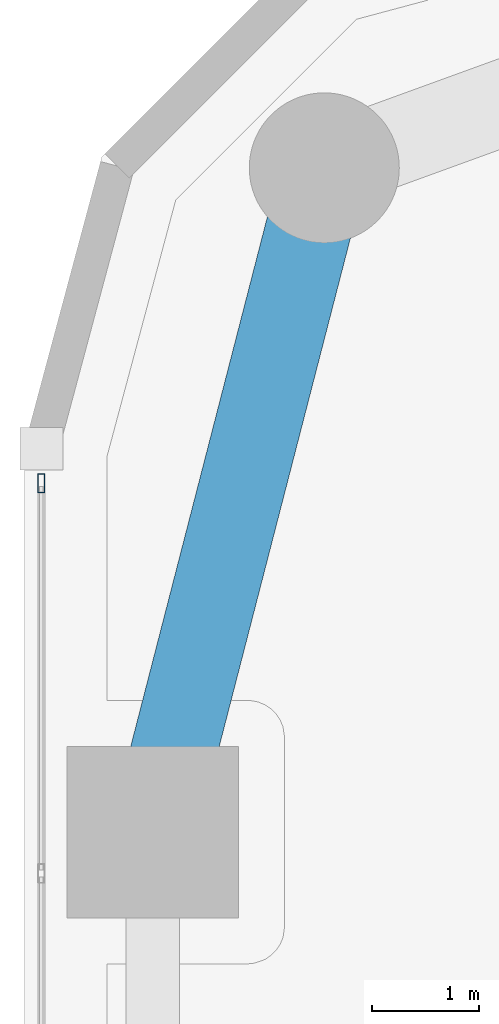
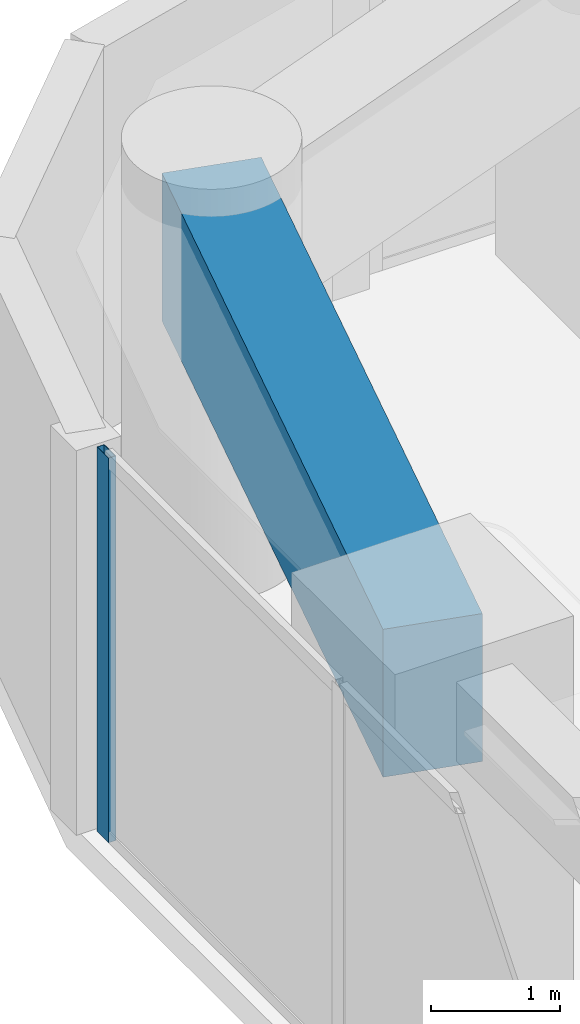
# One storey, part 11 of 24: 1 beam, 1 member, 1 element without a shape of its own.
"""IFC4 building model written with IfcOpenShell, lengths in metres."""

import ifcopenshell
import ifcopenshell.guid

model = None  # the IFC model being written
_history = None  # IfcOwnerHistory: only IFC2X3 demands one
_inside = {}  # id of a spatial element -> (the spatial element, [elements in it])
_under = {}  # id of a project, library or spatial element -> (it, [spatial elements below it])
_declared = {}  # id of a project -> (the project, [libraries it declares])
_typed = {}  # id of a type object -> (the type object, [elements of that type])
_made_of = {}  # id of a material, layer set ... -> (it, [elements and type objects made of it])


def new_model(schema):
    """Start an empty IFC model of exactly this schema.

    Asked for "IFC4X3", IfcOpenShell would pick the latest addendum, in which some entities
    have other attributes; the version numbers below select the first issue.
    IFC2X3 requires an IfcOwnerHistory on every rooted entity: one is made here for all.
    """
    global model, _history
    if schema == "IFC4X3":
        model = ifcopenshell.file(schema_version=(4, 3, 0, 0))
    else:
        model = ifcopenshell.file(schema=schema)
    _inside.clear()
    _under.clear()
    _declared.clear()
    _typed.clear()
    _made_of.clear()
    _history = None
    if model.schema == "IFC2X3":
        org = make("IfcOrganization", Name="unknown")
        user = make(
            "IfcPersonAndOrganization",
            ThePerson=make("IfcPerson", FamilyName="unknown"),
            TheOrganization=org,
        )
        app = make(
            "IfcApplication",
            ApplicationDeveloper=org,
            Version="unknown",
            ApplicationFullName="unknown",
            ApplicationIdentifier="unknown",
        )
        _history = make(
            "IfcOwnerHistory",
            OwningUser=user,
            OwningApplication=app,
            ChangeAction="ADDED",
            CreationDate=0,
        )
    return model


def make(cls, **values):
    """One entity of the class cls with the attributes given. An attribute that is None is left unset."""
    return model.create_entity(
        cls, **{name: value for name, value in values.items() if value is not None}
    )


def rooted(cls, **values):
    """An entity with a GlobalId (a new one), such as an element, a storey or a relation."""
    return make(cls, GlobalId=ifcopenshell.guid.new(), OwnerHistory=_history, **values)


def si_unit(unit_type, name, prefix=None):
    """IfcSIUnit, for example si_unit("LENGTHUNIT", "METRE", prefix="MILLI")."""
    return make("IfcSIUnit", UnitType=unit_type, Prefix=prefix, Name=name)


def assignment(units):
    """IfcUnitAssignment: the units of a project."""
    return None if units is None else make("IfcUnitAssignment", Units=units)


def point(xyz):
    """IfcCartesianPoint."""
    return None if xyz is None else make("IfcCartesianPoint", Coordinates=xyz)


def direction(xyz):
    """IfcDirection."""
    return None if xyz is None else make("IfcDirection", DirectionRatios=xyz)


def frame(location, z_axis=None, x_axis=None):
    """IfcAxis2Placement3D, a coordinate frame: its origin and axes. An axis left out is left unset."""
    return make(
        "IfcAxis2Placement3D",
        Location=point(location),
        Axis=direction(z_axis),
        RefDirection=direction(x_axis),
    )


def frame_2d(location, x_axis=None):
    """IfcAxis2Placement2D, a coordinate frame in the plane: its origin and x axis."""
    return make(
        "IfcAxis2Placement2D", Location=point(location), RefDirection=direction(x_axis)
    )


def origin():
    """The frame at (0, 0, 0) with its axes left unset."""
    return frame((0.0, 0.0, 0.0))


def origin_2d():
    """The frame at (0, 0) in the plane with its x axis left unset."""
    return frame_2d((0.0, 0.0))


def place(relative_to, where):
    """IfcLocalPlacement: puts the frame where relative to a parent placement (None: the world)."""
    return make(
        "IfcLocalPlacement", PlacementRelTo=relative_to, RelativePlacement=where
    )


def context(
    kind, dimensions, precision=None, world=None, true_north=None, identifier=None
):
    """IfcGeometricRepresentationContext, for example the 3D "Model" context."""
    return make(
        "IfcGeometricRepresentationContext",
        ContextIdentifier=identifier,
        ContextType=kind,
        CoordinateSpaceDimension=dimensions,
        Precision=precision,
        WorldCoordinateSystem=world,
        TrueNorth=true_north,
    )


def subcontext(parent, identifier, kind, view, scale=None):
    """IfcGeometricRepresentationSubContext, for example "Body" below "Model"."""
    return make(
        "IfcGeometricRepresentationSubContext",
        ContextIdentifier=identifier,
        ContextType=kind,
        ParentContext=parent,
        TargetScale=scale,
        TargetView=view,
    )


def project(units=None, contexts=None):
    """IfcProject with its units and contexts."""
    return rooted(
        "IfcProject",
        Name="project",
        RepresentationContexts=contexts,
        UnitsInContext=assignment(units),
    )


def spatial(cls, under=None, at=None, **own):
    """A site, building, storey or space (cls), placed at a placement, below another one or the project."""
    s = rooted(cls, ObjectPlacement=at, **own)
    if under is not None:
        _under.setdefault(under.id(), (under, []))[1].append(s)
    return s


def profile(cls, at=None, kind="AREA", **sizes):
    """A parametric profile (cls). Its sizes go by their IFC names, for example OverallWidth=200.0."""
    return make(cls, ProfileType=kind, Position=at, **sizes)


def rectangle(**sizes):
    """IfcRectangleProfileDef."""
    return profile("IfcRectangleProfileDef", **sizes)


def hollow_rectangle(**sizes):
    """IfcRectangleHollowProfileDef."""
    return profile("IfcRectangleHollowProfileDef", **sizes)


def extrude(swept, where, along, depth):
    """IfcExtrudedAreaSolid: the profile swept, set in the frame where, extruded along a direction by depth."""
    return make(
        "IfcExtrudedAreaSolid",
        SweptArea=swept,
        Position=where,
        ExtrudedDirection=direction(along),
        Depth=depth,
    )


def shape(context_of_items, identifier, shape_type, items):
    """IfcShapeRepresentation: the items that make up one representation, for example the "Body"."""
    return make(
        "IfcShapeRepresentation",
        ContextOfItems=context_of_items,
        RepresentationIdentifier=identifier,
        RepresentationType=shape_type,
        Items=items,
    )


def material(Name=None, Category=None):
    """IfcMaterial."""
    return make("IfcMaterial", Name=Name, Category=Category)


def layer(
    of_material, thickness, ventilated=None, Name=None, Category=None, Priority=None
):
    """IfcMaterialLayer: one layer of a wall or slab, of a material (None: an air gap)."""
    return make(
        "IfcMaterialLayer",
        Material=of_material,
        LayerThickness=thickness,
        IsVentilated=ventilated,
        Name=Name,
        Category=Category,
        Priority=Priority,
    )


def layer_set(layers, Name=None):
    """IfcMaterialLayerSet."""
    return make("IfcMaterialLayerSet", MaterialLayers=layers, LayerSetName=Name)


def material_profile(
    of_material, cross_section, Name=None, Category=None, Priority=None
):
    """IfcMaterialProfile: a cross section and its material."""
    return make(
        "IfcMaterialProfile",
        Name=Name,
        Material=of_material,
        Profile=cross_section,
        Priority=Priority,
        Category=Category,
    )


def profile_set(profiles, Name=None, composite=None):
    """IfcMaterialProfileSet."""
    return make(
        "IfcMaterialProfileSet",
        Name=Name,
        MaterialProfiles=profiles,
        CompositeProfile=composite,
    )


def made_of(thing, what):
    """Note that an element or type object is made of a material, layer set ...; save() writes the relation."""
    if what is not None:
        _made_of.setdefault(what.id(), (what, []))[1].append(thing)
    return thing


def type_object(cls, material=None, **own):
    """A type object (cls), such as IfcWallType, which elements share."""
    return made_of(rooted(cls, **own), material)


def element(
    cls,
    number,
    at=None,
    inside=None,
    cuts=None,
    type_object=None,
    material=None,
    context=None,
    identifier="Body",
    shape_type=None,
    held_by="IfcProductDefinitionShape",
    body=None,
    shapes=None,
    **own,
):
    """One element of the class cls, such as IfcWall. Its Tag is "e" and its number.

    at: its placement. inside: the storey or other place that contains it. cuts: it is an
    opening in that element (IfcRelVoidsElement). A single representation is given by context,
    identifier, shape_type and body (its items); several are given by shapes. held_by: the class
    of the entity that holds the representations. save() writes the other relations.
    """
    e = rooted(cls, Tag="e%d" % number, ObjectPlacement=at, **own)
    if body is not None:
        shapes = [shape(context, identifier, shape_type, body)]
    if shapes is not None:
        e.Representation = make(held_by, Representations=shapes)
    if inside is not None:
        _inside.setdefault(inside.id(), (inside, []))[1].append(e)
    if cuts is not None:
        rooted(
            "IfcRelVoidsElement", RelatingBuildingElement=cuts, RelatedOpeningElement=e
        )
    if type_object is not None:
        _typed.setdefault(type_object.id(), (type_object, []))[1].append(e)
    return made_of(e, material)


def aggregate(whole, parts):
    """IfcRelAggregates: a whole, such as a stair, and the parts it consists of."""
    return rooted("IfcRelAggregates", RelatingObject=whole, RelatedObjects=parts)


def save(model, path):
    """Write the relations noted so far, then the file.

    IfcRelAggregates (storeys below a building ...), IfcRelContainedInSpatialStructure (elements
    in a storey), IfcRelDefinesByType, IfcRelAssociatesMaterial and IfcRelDeclares: one each for
    every whole, place, type object, material and project.
    """
    for whole, parts in _under.values():
        aggregate(whole, parts)
    for where, things in _inside.values():
        rooted(
            "IfcRelContainedInSpatialStructure",
            RelatedElements=things,
            RelatingStructure=where,
        )
    for kind, things in _typed.values():
        rooted("IfcRelDefinesByType", RelatedObjects=things, RelatingType=kind)
    for what, things in _made_of.values():
        rooted("IfcRelAssociatesMaterial", RelatedObjects=things, RelatingMaterial=what)
    for by, libraries in _declared.values():
        rooted("IfcRelDeclares", RelatingContext=by, RelatedDefinitions=libraries)
    model.write(path)


model = new_model("IFC4")

# Units and contexts
model_context = context("Model", 3, precision=1e-05, world=origin(), true_north=direction((0.0, 1.0)))
body_context = subcontext(model_context, "Body", "Model", "MODEL_VIEW")
ifc_project = project(units=[si_unit("LENGTHUNIT", "METRE"), si_unit("AREAUNIT", "SQUARE_METRE"), si_unit("VOLUMEUNIT", "CUBIC_METRE"), si_unit("PLANEANGLEUNIT", "RADIAN"), si_unit("MASSUNIT", "GRAM", prefix="KILO")], contexts=[model_context])

# Site, building, storey
site_placement = place(None, origin())
site = spatial("IfcSite", under=ifc_project, at=site_placement, CompositionType="ELEMENT")
building_placement = place(site_placement, origin())
building = spatial("IfcBuilding", under=site, at=building_placement, Name="Kiyonajd Concourse Tower", CompositionType="ELEMENT")
storey_placement = place(building_placement, frame((0.0, 0.0, 89.699951171875)))
storey = spatial("IfcBuildingStorey", under=building, at=storey_placement, Name="L23", CompositionType="ELEMENT", Elevation=89.699951171875)

# Beam
ifc_material_1 = material(Name="Concrete C60/75", Category="concrete")
ifc_material_profile_1 = material_profile(ifc_material_1, rectangle(XDim=0.800048828125, YDim=1.39990234375, at=origin_2d()), Name="RCBM-800x1400")
ifc_profile_set_1 = profile_set([ifc_material_profile_1], Name="Concrete C60/75")
beam_type = type_object("IfcBeamType", Name="BM-XFER-RC", PredefinedType="BEAM", material=ifc_profile_set_1)
beam_placement = place(storey_placement, frame((20.800048828125, 59.60009765625, 2.93994140625), z_axis=(-0.249884937687, -0.968275538221, 0.0), x_axis=(0.968275538221, -0.249884937687, 0.0)))
element("IfcBeam", 1, at=beam_placement, inside=storey, type_object=beam_type, Name="L23 Perimeter Bundled Tube Spandrel", PredefinedType="BEAM", context=body_context, shape_type="SweptSolid", body=[
    extrude(rectangle(XDim=0.800048828125, YDim=1.39990234375, at=origin_2d()), origin(), (0.0, 0.0, 1.0), 6.4033203125),
])

# Curtain wall, member
ifc_material_2 = material(Name="Thermally Broken Anodised Aluminium", Category="aluminium")
ifc_layer = layer(ifc_material_2, 0.179931640625)
ifc_layer_set = layer_set([ifc_layer], Name="Thermally Broken Anodised Aluminium")
curtain_wall_type = type_object("IfcCurtainWallType", Name="CW-SYS-03", PredefinedType="NOTDEFINED", material=ifc_layer_set)
curtain_wall_placement = place(storey_placement, origin())
curtain_wall = element("IfcCurtainWall", 2, at=curtain_wall_placement, inside=storey, type_object=curtain_wall_type, Name="L23 Unitised Curtain Wall CW3", PredefinedType="NOTDEFINED")
ifc_material_profile_2 = material_profile(ifc_material_2, hollow_rectangle(XDim=0.06494140625, YDim=0.179931640625, WallThickness=0.00390625, at=origin_2d()), Name="MULL-65x180")
ifc_profile_set_2 = profile_set([ifc_material_profile_2], Name="Thermally Broken Anodised Aluminium")
member_type = type_object("IfcMemberType", Name="MB-CW-MULL1", PredefinedType="MULLION", material=ifc_profile_set_2)
member_placement = place(storey_placement, frame((18.159912109375, 56.656494140625, 0.0), z_axis=(0.0, 0.0, 1.0), x_axis=(-1.0, 0.0, 0.0)))
member = element("IfcMember", 3, at=member_placement, type_object=member_type, Name="CW3 mullion 7", PredefinedType="MULLION", context=body_context, shape_type="SweptSolid", body=[
    extrude(hollow_rectangle(XDim=0.06494140625, YDim=0.179931640625, WallThickness=0.00390625, at=origin_2d()), origin(), (0.0, 0.0, 1.0), 3.64013671875),
])
aggregate(curtain_wall, [member])

save(model, "model.ifc")
